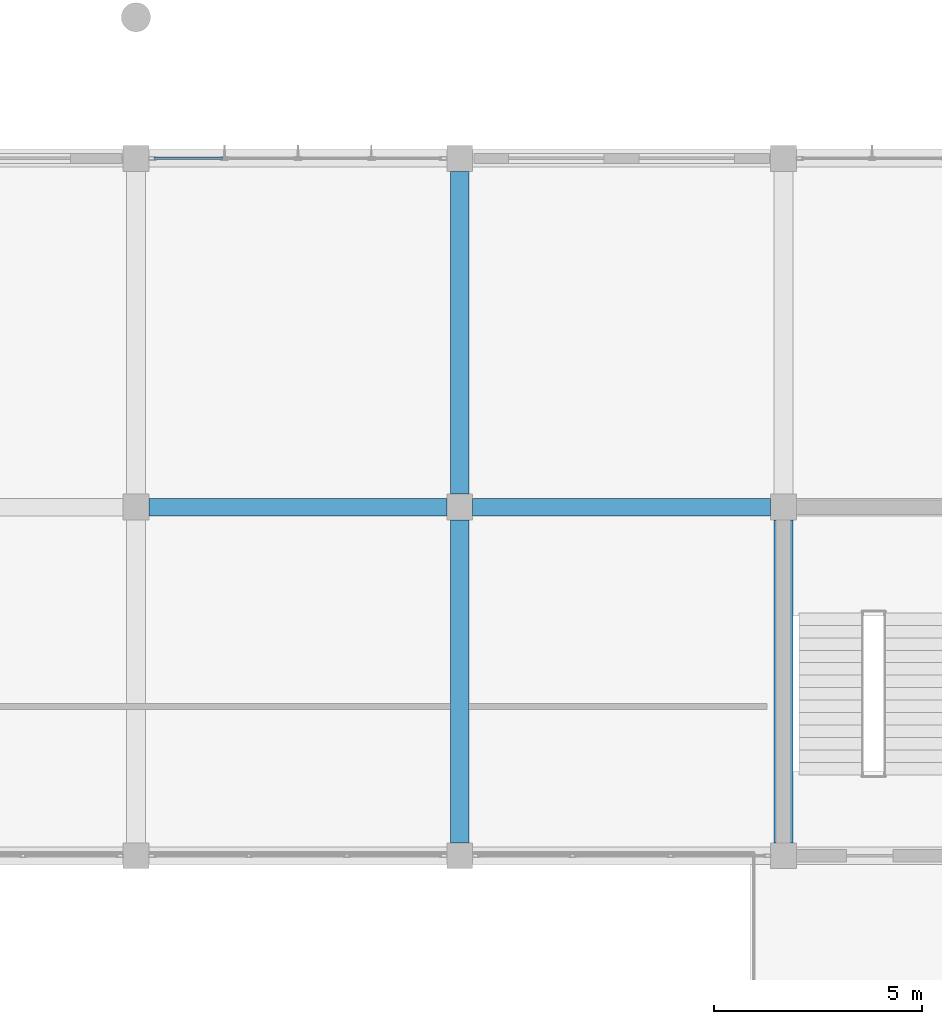
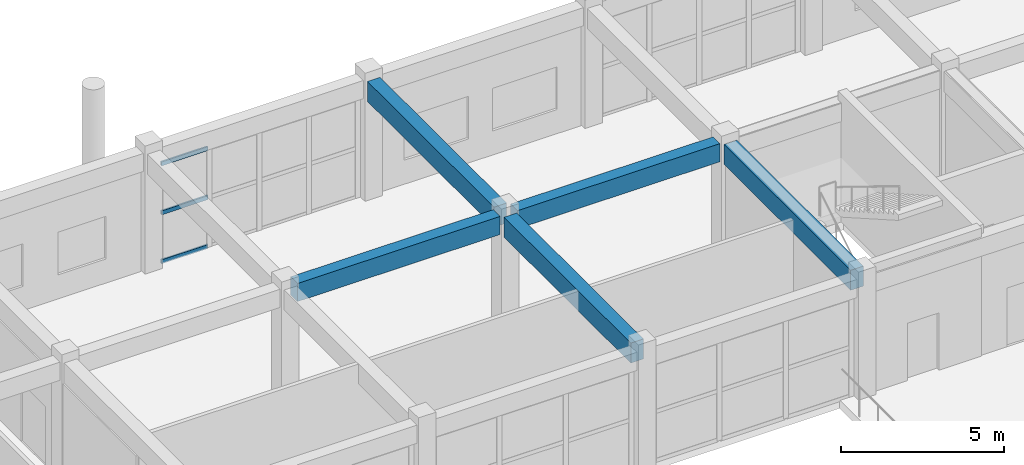
# One storey, part 108 of 167: 5 beams, 3 members, 1 element without a shape of its own.
"""IFC4 building model written with IfcOpenShell, lengths in metres."""

from ifc_helpers import new_model, si_unit, direction, frame, origin, origin_2d, place, context, subcontext, project, spatial, rectangle, hollow_rectangle, extrude, material, layer, layer_set, material_profile, profile_set, type_object, element, aggregate, save


model = new_model("IFC4")

# Units and contexts
model_context = context("Model", 3, precision=1e-05, world=origin(), true_north=direction((0.0, 1.0)))
body_context = subcontext(model_context, "Body", "Model", "MODEL_VIEW")
ifc_project = project(units=[si_unit("LENGTHUNIT", "METRE"), si_unit("AREAUNIT", "SQUARE_METRE"), si_unit("VOLUMEUNIT", "CUBIC_METRE"), si_unit("PLANEANGLEUNIT", "RADIAN"), si_unit("MASSUNIT", "GRAM", prefix="KILO")], contexts=[model_context])

# Site, building, storey
site_placement = place(None, origin())
site = spatial("IfcSite", under=ifc_project, at=site_placement, CompositionType="ELEMENT")
building_placement = place(site_placement, origin())
building = spatial("IfcBuilding", under=site, at=building_placement, Name="Zizhar Promenade General Hospital", CompositionType="ELEMENT")
storey_placement = place(building_placement, frame((0.0, 0.0, 9.60009765625)))
storey = spatial("IfcBuildingStorey", under=building, at=storey_placement, Name="L02", CompositionType="ELEMENT", Elevation=9.60009765625)

# Beams
ifc_material_1 = material(Name="Concrete C35/45", Category="concrete")
ifc_material_profile_1 = material_profile(ifc_material_1, rectangle(XDim=0.419921875, YDim=0.679931640625, at=origin_2d()))
ifc_profile_set_1 = profile_set([ifc_material_profile_1], Name="Concrete C35/45")
beam_type_1 = type_object("IfcBeamType", Name="BM-RC-420x680", PredefinedType="JOIST", material=ifc_profile_set_1)
for number, where, z_axis, x_axis, name in (
    (1, (156.31005859375, 100.800048828125, 4.1298828125), (1.0, 0.0, 0.0), (0.0, 1.0, 0.0), "Grid Beam X L02 (20-12)"),
    (2, (164.110107421875, 100.800048828125, 4.1298828125), (1.0, 0.0, 0.0), (0.0, 1.0, 0.0), "Grid Beam X L02 (21-12)"),
):
    element("IfcBeam", number, at=place(storey_placement, frame(where, z_axis=z_axis, x_axis=x_axis)), inside=storey, type_object=beam_type_1, Name=name, PredefinedType="JOIST", context=body_context, shape_type="SweptSolid", body=[
        extrude(rectangle(XDim=0.419921875, YDim=0.679931640625, at=origin_2d()), origin(), (0.0, 0.0, 1.0), 7.179931640625),
    ])
ifc_material_2 = material(Name="Concrete C35/45", Category="concrete")
ifc_material_profile_2 = material_profile(ifc_material_2, rectangle(XDim=0.449951171875, YDim=0.75, at=origin_2d()))
ifc_profile_set_2 = profile_set([ifc_material_profile_2], Name="Concrete C35/45")
beam_type_2 = type_object("IfcBeamType", Name="BM-RC-450x750", PredefinedType="BEAM", material=ifc_profile_set_2)
beam_1_placement = place(storey_placement, frame((163.800048828125, 92.7099609375, 4.094970703125), z_axis=(0.0, 1.0, 0.0), x_axis=(-1.0, 0.0, 0.0)))
element("IfcBeam", 3, at=beam_1_placement, inside=storey, type_object=beam_type_2, Name="Grid Beam Y L02 (21-11)", PredefinedType="BEAM", context=body_context, shape_type="SweptSolid", body=[
    extrude(rectangle(XDim=0.449951171875, YDim=0.75, at=origin_2d()), origin(), (0.0, 0.0, 1.0), 7.780029296875),
])
beam_2_placement = place(storey_placement, frame((163.800048828125, 101.110107421875, 4.094970703125), z_axis=(0.0, 1.0, 0.0), x_axis=(-1.0, 0.0, 0.0)))
element("IfcBeam", 4, at=beam_2_placement, inside=storey, type_object=beam_type_2, Name="Grid Beam Y L02 (21-12)", PredefinedType="BEAM", context=body_context, shape_type="SweptSolid", body=[
    extrude(rectangle(XDim=0.449951171875, YDim=0.75, at=origin_2d()), origin(), (0.0, 0.0, 1.0), 7.77978515625),
])
beam_3_placement = place(storey_placement, frame((171.60009765625, 92.7099609375, 4.094970703125), z_axis=(0.0, 1.0, 0.0), x_axis=(-1.0, 0.0, 0.0)))
element("IfcBeam", 5, at=beam_3_placement, inside=storey, type_object=beam_type_2, Name="Grid Beam Y L02 (22-11)", PredefinedType="BEAM", context=body_context, shape_type="SweptSolid", body=[
    extrude(rectangle(XDim=0.449951171875, YDim=0.75, at=origin_2d()), origin(), (0.0, 0.0, 1.0), 7.780029296875),
])

# Curtain wall, members
ifc_material_3 = material(Name="Anodised aluminium 6063-T6 and low-E glass", Category="aluminium")
ifc_layer = layer(ifc_material_3, 0.159912109375)
ifc_layer_set = layer_set([ifc_layer], Name="Anodised aluminium 6063-T6 and low-E glass")
curtain_wall_type = type_object("IfcCurtainWallType", Name="CW-CLN-EXT", PredefinedType="NOTDEFINED", material=ifc_layer_set)
curtain_wall_placement = place(storey_placement, origin())
curtain_wall = element("IfcCurtainWall", 6, at=curtain_wall_placement, inside=storey, type_object=curtain_wall_type, Name="Outpatient North Curtain Wall L02-20", PredefinedType="NOTDEFINED")
ifc_material_4 = material(Name="Anodised aluminium 6063-T6", Category="aluminium")
ifc_material_profile_3 = material_profile(ifc_material_4, hollow_rectangle(XDim=0.06005859375, YDim=0.14990234375, WallThickness=0.00390625, at=origin_2d()))
ifc_profile_set_3 = profile_set([ifc_material_profile_3], Name="Anodised aluminium 6063-T6")
member_type = type_object("IfcMemberType", Name="CWT-ALU-150x60", PredefinedType="USERDEFINED", material=ifc_profile_set_3)
member_1_placement = place(storey_placement, frame((156.43994140625, 109.199951171875, 0.02978515625), z_axis=(1.0, 0.0, 0.0), x_axis=(0.0, 1.0, 0.0)))
member_1 = element("IfcMember", 7, at=member_1_placement, type_object=member_type, Name="CW-09 transom 1.1", ObjectType="TRANSOM", PredefinedType="USERDEFINED", context=body_context, shape_type="SweptSolid", body=[
    extrude(hollow_rectangle(XDim=0.06005859375, YDim=0.14990234375, WallThickness=0.00390625, at=origin_2d()), origin(), (0.0, 0.0, 1.0), 1.650146484375),
])
member_2_placement = place(storey_placement, frame((156.43994140625, 109.199951171875, 1.864990234375), z_axis=(1.0, 0.0, 0.0), x_axis=(0.0, 1.0, 0.0)))
member_2 = element("IfcMember", 8, at=member_2_placement, type_object=member_type, Name="CW-09 transom 1.2", ObjectType="TRANSOM", PredefinedType="USERDEFINED", context=body_context, shape_type="SweptSolid", body=[
    extrude(hollow_rectangle(XDim=0.06005859375, YDim=0.14990234375, WallThickness=0.00390625, at=origin_2d()), origin(), (0.0, 0.0, 1.0), 1.650146484375),
])
member_3_placement = place(storey_placement, frame((156.43994140625, 109.199951171875, 3.699951171875), z_axis=(1.0, 0.0, 0.0), x_axis=(0.0, 1.0, 0.0)))
member_3 = element("IfcMember", 9, at=member_3_placement, type_object=member_type, Name="CW-09 transom 1.3", ObjectType="TRANSOM", PredefinedType="USERDEFINED", context=body_context, shape_type="SweptSolid", body=[
    extrude(hollow_rectangle(XDim=0.06005859375, YDim=0.14990234375, WallThickness=0.00390625, at=origin_2d()), origin(), (0.0, 0.0, 1.0), 1.650146484375),
])
aggregate(curtain_wall, [member_1, member_2, member_3])

save(model, "model.ifc")
